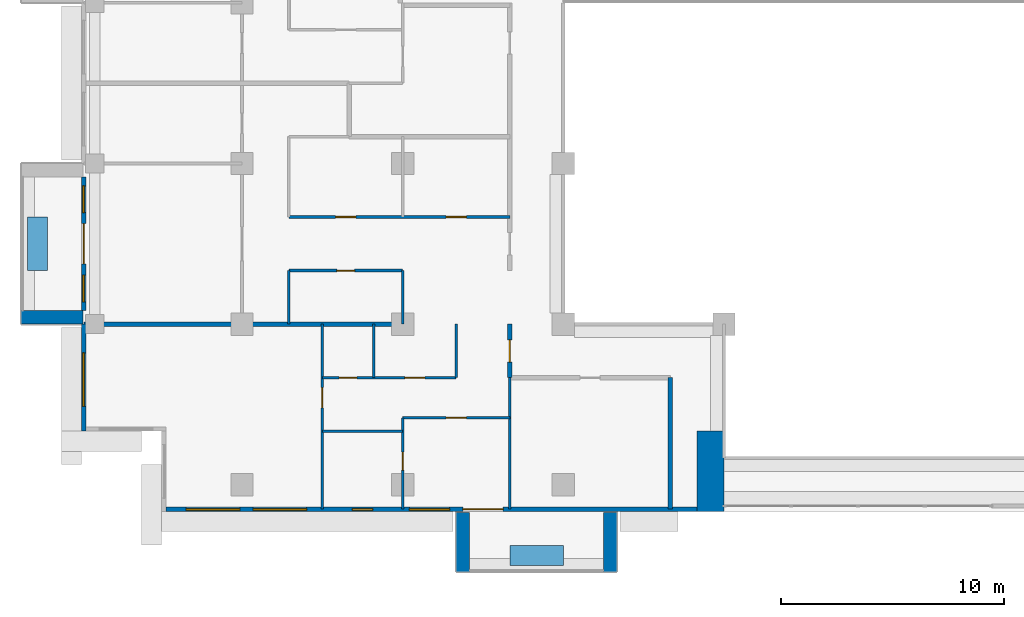
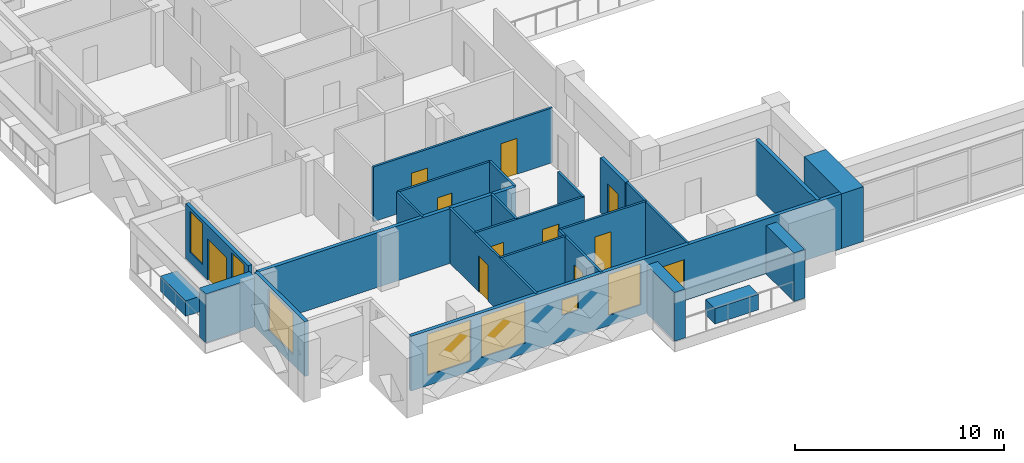
# One storey, part 6 of 20: 24 walls, 11 doors, 7 windows, 18 openings.
"""IFC4 building model written with IfcOpenShell, lengths in metres."""

from ifc_helpers import new_model, si_unit, direction, frame, frame_2d, origin, place, context, subcontext, project, spatial, rectangle, extrude, material, layer, layer_set, type_object, element, fill, save


model = new_model("IFC4")

# Units and contexts
model_context = context("Model", 3, precision=1e-05, world=origin(), true_north=direction((0.0, 1.0)))
body_context = subcontext(model_context, "Body", "Model", "MODEL_VIEW")
ifc_project = project(units=[si_unit("LENGTHUNIT", "METRE"), si_unit("AREAUNIT", "SQUARE_METRE"), si_unit("VOLUMEUNIT", "CUBIC_METRE"), si_unit("PLANEANGLEUNIT", "RADIAN"), si_unit("MASSUNIT", "GRAM", prefix="KILO")], contexts=[model_context])

# Site, building, storey
site_placement = place(None, origin())
site = spatial("IfcSite", under=ifc_project, at=site_placement, CompositionType="ELEMENT")
building_placement = place(site_placement, origin())
building = spatial("IfcBuilding", under=site, at=building_placement, Name="Saffron Iwan Residences", CompositionType="ELEMENT")
storey_placement = place(building_placement, frame((0.0, 0.0, 153.5)))
storey = spatial("IfcBuildingStorey", under=building, at=storey_placement, Name="L40", CompositionType="ELEMENT", Elevation=153.5)

# Walls
ifc_material_1 = material(Name="Concrete C50/60 white painted", Category="concrete")
ifc_layer_1 = layer(ifc_material_1, 0.60009765625)
ifc_layer_set_1 = layer_set([ifc_layer_1], Name="Concrete C50/60 white painted")
wall_type_1 = type_object("IfcWallType", Name="BALCONY FIN 600", PredefinedType="SOLIDWALL", material=ifc_layer_set_1)
wall_1_placement = place(storey_placement, frame((14.47509765625, 48.300048828125, 0.0), z_axis=(0.0, 0.0, 1.0), x_axis=(-1.0, 0.0, 0.0)))
element("IfcWall", 1, at=wall_1_placement, inside=storey, type_object=wall_type_1, Name="Balcony fin L40 F8-1b", PredefinedType="SOLIDWALL", context=body_context, shape_type="SweptSolid", body=[
    extrude(rectangle(XDim=2.775146484375, YDim=0.60009765625, at=frame_2d((1.3876953125, 0.0))), origin(), (0.0, 0.0, 1.0), 2.85009765625),
])
for number, where, z_axis, x_axis, name in (
    (2, (31.5, 39.550048828125, 0.0), (0.0, 0.0, 1.0), (0.0, -1.0, 0.0), "Balcony fin L40 11-0a"),
    (3, (38.10009765625, 39.550048828125, 0.0), (0.0, 0.0, 1.0), (0.0, -1.0, 0.0), "Balcony fin L40 11-0b"),
):
    element("IfcWall", number, at=place(storey_placement, frame(where, z_axis=z_axis, x_axis=x_axis)), inside=storey, type_object=wall_type_1, Name=name, PredefinedType="SOLIDWALL", context=body_context, shape_type="SweptSolid", body=[
        extrude(rectangle(XDim=2.650146484375, YDim=0.60009765625, at=frame_2d((1.3251953125, 0.0))), origin(), (0.0, 0.0, 1.0), 2.85009765625),
    ])
ifc_material_2 = material(Name="Concrete C35/45 white painted", Category="concrete")
ifc_layer_2 = layer(ifc_material_2, 0.14990234375)
ifc_layer_set_2 = layer_set([ifc_layer_2], Name="Concrete C35/45 white painted")
wall_type_2 = type_object("IfcWallType", Name="BALCONY PLANTER", PredefinedType="SOLIDWALL", material=ifc_layer_set_2)
wall_2_placement = place(storey_placement, frame((12.425048828125, 52.800048828125, 0.0), z_axis=(0.0, 0.0, 1.0), x_axis=(0.0, -1.0, 0.0)))
element("IfcWall", 4, at=wall_2_placement, inside=storey, type_object=wall_type_2, Name="PLANTER L40 F8-1", PredefinedType="SOLIDWALL", context=body_context, shape_type="SweptSolid", body=[
    extrude(rectangle(XDim=2.400146484375, YDim=0.89990234375, at=frame_2d((1.2001953125, 0.0))), origin(), (0.0, 0.0, 1.0), 0.89990234375),
])
wall_3_placement = place(storey_placement, frame((33.60009765625, 37.625, 0.0), z_axis=(0.0, 0.0, 1.0), x_axis=(1.0, 0.0, 0.0)))
element("IfcWall", 5, at=wall_3_placement, inside=storey, type_object=wall_type_2, Name="PLANTER L40 11-0", PredefinedType="SOLIDWALL", context=body_context, shape_type="SweptSolid", body=[
    extrude(rectangle(XDim=2.39990234375, YDim=0.89990234375, at=frame_2d((1.199951171875, 0.0))), origin(), (0.0, 0.0, 1.0), 0.89990234375),
])

# Wall, openings, door, windows
ifc_material_3 = material(Name="Concrete C40/50", Category="concrete")
ifc_layer_3 = layer(ifc_material_3, 0.199951171875)
ifc_layer_set_3 = layer_set([ifc_layer_3], Name="Concrete C40/50")
wall_type_3 = type_object("IfcWallType", Name="EXTERNAL WALL 200", PredefinedType="SOLIDWALL", material=ifc_layer_set_3)
wall_4_placement = place(storey_placement, frame((14.5, 54.60009765625, 0.0), z_axis=(0.0, 0.0, 1.0), x_axis=(0.0, -1.0, 0.0)))
wall_4 = element("IfcWall", 6, at=wall_4_placement, inside=storey, type_object=wall_type_3, Name="External wall L40 F8.3", PredefinedType="SOLIDWALL", context=body_context, shape_type="SweptSolid", body=[
    extrude(rectangle(XDim=6.0, YDim=0.199951171875, at=frame_2d((3.0, 0.0))), origin(), (0.0, 0.0, 1.0), 3.199951171875),
])
opening_1_placement = place(wall_4_placement, frame((2.10009765625, 0.0, 0.0)))
opening_1 = element("IfcOpeningElement", 7, at=opening_1_placement, cuts=wall_4, Name="Opening BD1", PredefinedType="OPENING", context=body_context, shape_type="SweptSolid", body=[
    extrude(rectangle(XDim=1.800048828125, YDim=2.39990234375, at=frame_2d((0.89990234375, 1.199951171875))), frame((0.0, 0.10986328125, 0.0), z_axis=(0.0, -1.0, 0.0), x_axis=(1.0, 0.0, 0.0)), (0.0, 0.0, 1.0), 0.219970703125),
])
opening_2_placement = place(wall_4_placement, frame((0.39990234375, 0.0, 0.60009765625)))
opening_2 = element("IfcOpeningElement", 8, at=opening_2_placement, cuts=wall_4, Name="Opening W3", PredefinedType="OPENING", context=body_context, shape_type="SweptSolid", body=[
    extrude(rectangle(XDim=1.199951171875, YDim=2.39990234375, at=frame_2d((0.60009765625, 1.199951171875))), frame((0.0, 0.10986328125, 0.0), z_axis=(0.0, -1.0, 0.0), x_axis=(1.0, 0.0, 0.0)), (0.0, 0.0, 1.0), 0.219970703125),
])
opening_3_placement = place(wall_4_placement, frame((4.39990234375, 0.0, 0.60009765625)))
opening_3 = element("IfcOpeningElement", 9, at=opening_3_placement, cuts=wall_4, Name="Opening W3", PredefinedType="OPENING", context=body_context, shape_type="SweptSolid", body=[
    extrude(rectangle(XDim=1.199951171875, YDim=2.39990234375, at=frame_2d((0.60009765625, 1.199951171875))), frame((0.0, 0.10986328125, 0.0), z_axis=(0.0, -1.0, 0.0), x_axis=(1.0, 0.0, 0.0)), (0.0, 0.0, 1.0), 0.219970703125),
])
ifc_material_4 = material(Name="Clear glass, laminated double glazed", Category="glass")
door_type_1 = type_object("IfcDoorType", Name="BALCONY DOOR 1800 x 2400", OperationType="DOUBLE_DOOR_SLIDING", PredefinedType="DOOR", material=ifc_material_4)
door_1_placement = place(opening_1_placement, origin())
door_1 = element("IfcDoor", 10, at=door_1_placement, inside=storey, type_object=door_type_1, Name="Balcony door L40 F8.0", OperationType="DOUBLE_DOOR_SLIDING", OverallHeight=2.39990234375, OverallWidth=1.800048828125, PredefinedType="DOOR", context=body_context, shape_type="SweptSolid", body=[
    extrude(rectangle(XDim=1.800048828125, YDim=2.39990234375, at=frame_2d((0.89990234375, 1.199951171875))), frame((0.0, 0.02490234375, 0.0), z_axis=(0.0, -1.0, 0.0), x_axis=(1.0, 0.0, 0.0)), (0.0, 0.0, 1.0), 0.050048828125),
])
fill(opening_1, door_1)
window_type_1 = type_object("IfcWindowType", Name="WINDOW 1200 x 2400", PartitioningType="SINGLE_PANEL", PredefinedType="WINDOW", material=ifc_material_4)
window_1_placement = place(opening_2_placement, origin())
window_1 = element("IfcWindow", 11, at=window_1_placement, inside=storey, type_object=window_type_1, Name="Window L40 F8.1", OverallHeight=2.39990234375, OverallWidth=1.199951171875, PartitioningType="SINGLE_PANEL", PredefinedType="WINDOW", context=body_context, shape_type="SweptSolid", body=[
    extrude(rectangle(XDim=1.199951171875, YDim=2.39990234375, at=frame_2d((0.60009765625, 1.199951171875))), frame((0.0, 0.030029296875, 0.0), z_axis=(0.0, -1.0, 0.0), x_axis=(1.0, 0.0, 0.0)), (0.0, 0.0, 1.0), 0.06005859375),
])
fill(opening_2, window_1)
window_2_placement = place(opening_3_placement, origin())
window_2 = element("IfcWindow", 12, at=window_2_placement, inside=storey, type_object=window_type_1, Name="Window L40 F8.2", OverallHeight=2.39990234375, OverallWidth=1.199951171875, PartitioningType="SINGLE_PANEL", PredefinedType="WINDOW", context=body_context, shape_type="SweptSolid", body=[
    extrude(rectangle(XDim=1.199951171875, YDim=2.39990234375, at=frame_2d((0.60009765625, 1.199951171875))), frame((0.0, 0.030029296875, 0.0), z_axis=(0.0, -1.0, 0.0), x_axis=(1.0, 0.0, 0.0)), (0.0, 0.0, 1.0), 0.06005859375),
])
fill(opening_3, window_2)

# Wall, opening, window
wall_5_placement = place(storey_placement, frame((14.5, 48.0, 0.0), z_axis=(0.0, 0.0, 1.0), x_axis=(0.0, -1.0, 0.0)))
wall_5 = element("IfcWall", 13, at=wall_5_placement, inside=storey, type_object=wall_type_3, Name="External wall L40 F8.4", PredefinedType="SOLIDWALL", context=body_context, shape_type="SweptSolid", body=[
    extrude(rectangle(XDim=4.800048828125, YDim=0.199951171875, at=frame_2d((2.39990234375, 0.0))), origin(), (0.0, 0.0, 1.0), 3.199951171875),
])
opening_4_placement = place(wall_5_placement, frame((1.28759765625, 0.0, 0.60009765625)))
opening_4 = element("IfcOpeningElement", 14, at=opening_4_placement, cuts=wall_5, Name="Opening W1", PredefinedType="OPENING", context=body_context, shape_type="SweptSolid", body=[
    extrude(rectangle(XDim=2.39990234375, YDim=2.39990234375, at=frame_2d((1.199951171875, 1.199951171875))), frame((0.0, 0.10986328125, 0.0), z_axis=(0.0, -1.0, 0.0), x_axis=(1.0, 0.0, 0.0)), (0.0, 0.0, 1.0), 0.219970703125),
])
window_type_2 = type_object("IfcWindowType", Name="WINDOW 2400 x 2400", PartitioningType="DOUBLE_PANEL_VERTICAL", PredefinedType="WINDOW", material=ifc_material_4)
window_3_placement = place(opening_4_placement, origin())
window_3 = element("IfcWindow", 15, at=window_3_placement, inside=storey, type_object=window_type_2, Name="Window L40 F8.0", OverallHeight=2.39990234375, OverallWidth=2.39990234375, PartitioningType="DOUBLE_PANEL_VERTICAL", PredefinedType="WINDOW", context=body_context, shape_type="SweptSolid", body=[
    extrude(rectangle(XDim=2.39990234375, YDim=2.39990234375, at=frame_2d((1.199951171875, 1.199951171875))), frame((0.0, 0.030029296875, 0.0), z_axis=(0.0, -1.0, 0.0), x_axis=(1.0, 0.0, 0.0)), (0.0, 0.0, 1.0), 0.06005859375),
])
fill(opening_4, window_3)

# Wall, openings, door, windows
wall_6_placement = place(storey_placement, frame((18.199951171875, 39.699951171875, 0.0), z_axis=(0.0, 0.0, 1.0), x_axis=(1.0, 0.0, 0.0)))
wall_6 = element("IfcWall", 16, at=wall_6_placement, inside=storey, type_object=wall_type_3, Name="External wall L40 F11.0", PredefinedType="SOLIDWALL", context=body_context, shape_type="SweptSolid", body=[
    extrude(rectangle(XDim=23.800048828125, YDim=0.199951171875, at=frame_2d((11.89990234375, 0.0))), origin(), (0.0, 0.0, 1.0), 3.199951171875),
])
opening_5_placement = place(wall_6_placement, frame((13.300048828125, 0.0, 0.0)))
opening_5 = element("IfcOpeningElement", 17, at=opening_5_placement, cuts=wall_6, Name="Opening BD1", PredefinedType="OPENING", context=body_context, shape_type="SweptSolid", body=[
    extrude(rectangle(XDim=1.800048828125, YDim=2.39990234375, at=frame_2d((0.89990234375, 1.199951171875))), frame((0.0, 0.10986328125, 0.0), z_axis=(0.0, -1.0, 0.0), x_axis=(1.0, 0.0, 0.0)), (0.0, 0.0, 1.0), 0.219970703125),
])
opening_6_placement = place(wall_6_placement, frame((0.89990234375, 0.0, 0.60009765625)))
opening_6 = element("IfcOpeningElement", 18, at=opening_6_placement, cuts=wall_6, Name="Opening W1", PredefinedType="OPENING", context=body_context, shape_type="SweptSolid", body=[
    extrude(rectangle(XDim=2.39990234375, YDim=2.39990234375, at=frame_2d((1.199951171875, 1.199951171875))), frame((0.0, 0.10986328125, 0.0), z_axis=(0.0, -1.0, 0.0), x_axis=(1.0, 0.0, 0.0)), (0.0, 0.0, 1.0), 0.219970703125),
])
opening_7_placement = place(wall_6_placement, frame((3.89990234375, 0.0, 0.60009765625)))
opening_7 = element("IfcOpeningElement", 19, at=opening_7_placement, cuts=wall_6, Name="Opening W1", PredefinedType="OPENING", context=body_context, shape_type="SweptSolid", body=[
    extrude(rectangle(XDim=2.39990234375, YDim=2.39990234375, at=frame_2d((1.199951171875, 1.199951171875))), frame((0.0, 0.10986328125, 0.0), z_axis=(0.0, -1.0, 0.0), x_axis=(1.0, 0.0, 0.0)), (0.0, 0.0, 1.0), 0.219970703125),
])
opening_8_placement = place(wall_6_placement, frame((10.89990234375, 0.0, 0.60009765625)))
opening_8 = element("IfcOpeningElement", 20, at=opening_8_placement, cuts=wall_6, Name="Opening W8", PredefinedType="OPENING", context=body_context, shape_type="SweptSolid", body=[
    extrude(rectangle(XDim=1.800048828125, YDim=2.39990234375, at=frame_2d((0.89990234375, 1.199951171875))), frame((0.0, 0.10986328125, 0.0), z_axis=(0.0, -1.0, 0.0), x_axis=(1.0, 0.0, 0.0)), (0.0, 0.0, 1.0), 0.219970703125),
])
opening_9_placement = place(wall_6_placement, frame((8.35009765625, 0.0, 1.5)))
opening_9 = element("IfcOpeningElement", 21, at=opening_9_placement, cuts=wall_6, Name="Opening W6", PredefinedType="OPENING", context=body_context, shape_type="SweptSolid", body=[
    extrude(rectangle(XDim=0.89990234375, YDim=0.89990234375, at=frame_2d((0.449951171875, 0.449951171875))), frame((0.0, 0.10986328125, 0.0), z_axis=(0.0, -1.0, 0.0), x_axis=(1.0, 0.0, 0.0)), (0.0, 0.0, 1.0), 0.219970703125),
])
door_2_placement = place(opening_5_placement, origin())
door_2 = element("IfcDoor", 22, at=door_2_placement, inside=storey, type_object=door_type_1, Name="Balcony door L40 F11.0", OperationType="DOUBLE_DOOR_SLIDING", OverallHeight=2.39990234375, OverallWidth=1.800048828125, PredefinedType="DOOR", context=body_context, shape_type="SweptSolid", body=[
    extrude(rectangle(XDim=1.800048828125, YDim=2.39990234375, at=frame_2d((0.89990234375, 1.199951171875))), frame((0.0, 0.02490234375, 0.0), z_axis=(0.0, -1.0, 0.0), x_axis=(1.0, 0.0, 0.0)), (0.0, 0.0, 1.0), 0.050048828125),
])
fill(opening_5, door_2)
window_type_3 = type_object("IfcWindowType", Name="WINDOW 1800 x 2400", PartitioningType="DOUBLE_PANEL_VERTICAL", PredefinedType="WINDOW", material=ifc_material_4)
window_4_placement = place(opening_8_placement, origin())
window_4 = element("IfcWindow", 23, at=window_4_placement, inside=storey, type_object=window_type_3, Name="Window L40 F11.3", OverallHeight=2.39990234375, OverallWidth=1.800048828125, PartitioningType="DOUBLE_PANEL_VERTICAL", PredefinedType="WINDOW", context=body_context, shape_type="SweptSolid", body=[
    extrude(rectangle(XDim=1.800048828125, YDim=2.39990234375, at=frame_2d((0.89990234375, 1.199951171875))), frame((0.0, 0.030029296875, 0.0), z_axis=(0.0, -1.0, 0.0), x_axis=(1.0, 0.0, 0.0)), (0.0, 0.0, 1.0), 0.06005859375),
])
fill(opening_8, window_4)
window_5_placement = place(opening_6_placement, origin())
window_5 = element("IfcWindow", 24, at=window_5_placement, inside=storey, type_object=window_type_2, Name="Window L40 F11.1", OverallHeight=2.39990234375, OverallWidth=2.39990234375, PartitioningType="DOUBLE_PANEL_VERTICAL", PredefinedType="WINDOW", context=body_context, shape_type="SweptSolid", body=[
    extrude(rectangle(XDim=2.39990234375, YDim=2.39990234375, at=frame_2d((1.199951171875, 1.199951171875))), frame((0.0, 0.030029296875, 0.0), z_axis=(0.0, -1.0, 0.0), x_axis=(1.0, 0.0, 0.0)), (0.0, 0.0, 1.0), 0.06005859375),
])
fill(opening_6, window_5)
window_6_placement = place(opening_7_placement, origin())
window_6 = element("IfcWindow", 25, at=window_6_placement, inside=storey, type_object=window_type_2, Name="Window L40 F11.2", OverallHeight=2.39990234375, OverallWidth=2.39990234375, PartitioningType="DOUBLE_PANEL_VERTICAL", PredefinedType="WINDOW", context=body_context, shape_type="SweptSolid", body=[
    extrude(rectangle(XDim=2.39990234375, YDim=2.39990234375, at=frame_2d((1.199951171875, 1.199951171875))), frame((0.0, 0.030029296875, 0.0), z_axis=(0.0, -1.0, 0.0), x_axis=(1.0, 0.0, 0.0)), (0.0, 0.0, 1.0), 0.06005859375),
])
fill(opening_7, window_6)
window_type_4 = type_object("IfcWindowType", Name="WINDOW 900 x 900 BATH", PartitioningType="SINGLE_PANEL", PredefinedType="WINDOW", material=ifc_material_4)
window_7_placement = place(opening_9_placement, origin())
window_7 = element("IfcWindow", 26, at=window_7_placement, inside=storey, type_object=window_type_4, Name="Window L40 F11.4", OverallHeight=0.89990234375, OverallWidth=0.89990234375, PartitioningType="SINGLE_PANEL", PredefinedType="WINDOW", context=body_context, shape_type="SweptSolid", body=[
    extrude(rectangle(XDim=0.89990234375, YDim=0.89990234375, at=frame_2d((0.449951171875, 0.449951171875))), frame((0.0, 0.030029296875, 0.0), z_axis=(0.0, -1.0, 0.0), x_axis=(1.0, 0.0, 0.0)), (0.0, 0.0, 1.0), 0.06005859375),
])
fill(opening_9, window_7)

# Walls
ifc_material_5 = material(Name="Fire-rated gypsum board wall")
ifc_layer_4 = layer(ifc_material_5, 0.199951171875)
ifc_layer_set_4 = layer_set([ifc_layer_4], Name="Fire-rated gypsum board wall")
wall_type_4 = type_object("IfcWallType", Name="Flat demising wall 200", PredefinedType="SOLIDWALL", material=ifc_layer_set_4)
wall_7_placement = place(storey_placement, frame((14.52490234375, 48.0, 0.0), z_axis=(0.0, 0.0, 1.0), x_axis=(1.0, 0.0, 0.0)))
element("IfcWall", 27, at=wall_7_placement, inside=storey, type_object=wall_type_4, Name="W-L40-DEMISE-h48-14.525", PredefinedType="SOLIDWALL", context=body_context, shape_type="SweptSolid", body=[
    extrude(rectangle(XDim=14.275146484375, YDim=0.199951171875, at=frame_2d((7.1376953125, 0.0))), origin(), (0.0, 0.0, 1.0), 3.199951171875),
])
ifc_material_6 = material(Name="Gypsum board partition")
ifc_layer_5 = layer(ifc_material_6, 0.1201171875)
ifc_layer_set_5 = layer_set([ifc_layer_5], Name="Gypsum board partition")
wall_type_5 = type_object("IfcWallType", Name="Flat partition 120", PredefinedType="PARTITIONING", material=ifc_layer_set_5)
wall_8_placement = place(storey_placement, frame((25.199951171875, 43.199951171875, 0.0), z_axis=(0.0, 0.0, 1.0), x_axis=(1.0, 0.0, 0.0)))
element("IfcWall", 28, at=wall_8_placement, inside=storey, type_object=wall_type_5, Name="W-L40-PART-h43.2-25.2", PredefinedType="PARTITIONING", context=body_context, shape_type="SweptSolid", body=[
    extrude(rectangle(XDim=3.60009765625, YDim=0.1201171875, at=frame_2d((1.800048828125, 0.0))), origin(), (0.0, 0.0, 1.0), 3.199951171875),
])

# Wall, opening, door
wall_9_placement = place(storey_placement, frame((28.800048828125, 43.800048828125, 0.0), z_axis=(0.0, 0.0, 1.0), x_axis=(1.0, 0.0, 0.0)))
wall_9 = element("IfcWall", 29, at=wall_9_placement, inside=storey, type_object=wall_type_5, Name="W-L40-PART-h43.8-28.8", PredefinedType="PARTITIONING", context=body_context, shape_type="SweptSolid", body=[
    extrude(rectangle(XDim=4.800048828125, YDim=0.1201171875, at=frame_2d((2.39990234375, 0.0))), origin(), (0.0, 0.0, 1.0), 3.199951171875),
])
opening_10_placement = place(wall_9_placement, frame((1.949951171875, 0.0, 0.0)))
opening_10 = element("IfcOpeningElement", 30, at=opening_10_placement, cuts=wall_9, Name="Opening FD2", PredefinedType="OPENING", context=body_context, shape_type="SweptSolid", body=[
    extrude(rectangle(XDim=0.89990234375, YDim=2.10009765625, at=frame_2d((0.449951171875, 1.050048828125))), frame((0.0, 0.070068359375, 0.0), z_axis=(0.0, -1.0, 0.0), x_axis=(1.0, 0.0, 0.0)), (0.0, 0.0, 1.0), 0.14013671875),
])
ifc_material_7 = material(Name="Timber door", Category="wood")
door_type_2 = type_object("IfcDoorType", Name="Flat door 900", OperationType="NOTDEFINED", PredefinedType="DOOR", material=ifc_material_7)
door_3_placement = place(opening_10_placement, origin())
door_3 = element("IfcDoor", 31, at=door_3_placement, inside=storey, type_object=door_type_2, Name="Door L40-003", OperationType="SINGLE_SWING_RIGHT", OverallHeight=2.10009765625, OverallWidth=0.89990234375, PredefinedType="DOOR", context=body_context, shape_type="SweptSolid", body=[
    extrude(rectangle(XDim=0.89990234375, YDim=2.10009765625, at=frame_2d((0.449951171875, 1.050048828125))), frame((0.0, 0.02490234375, 0.0), z_axis=(0.0, -1.0, 0.0), x_axis=(1.0, 0.0, 0.0)), (0.0, 0.0, 1.0), 0.050048828125),
])
fill(opening_10, door_3)

# Wall, openings, doors
wall_10_placement = place(storey_placement, frame((25.199951171875, 45.60009765625, 0.0), z_axis=(0.0, 0.0, 1.0), x_axis=(1.0, 0.0, 0.0)))
wall_10 = element("IfcWall", 32, at=wall_10_placement, inside=storey, type_object=wall_type_5, Name="W-L40-PART-h45.6-25.2", PredefinedType="PARTITIONING", context=body_context, shape_type="SweptSolid", body=[
    extrude(rectangle(XDim=6.0, YDim=0.1201171875, at=frame_2d((3.0, 0.0))), origin(), (0.0, 0.0, 1.0), 3.199951171875),
])
opening_11_placement = place(wall_10_placement, frame((0.75, 0.0, 0.0)))
opening_11 = element("IfcOpeningElement", 33, at=opening_11_placement, cuts=wall_10, Name="Opening FD3", PredefinedType="OPENING", context=body_context, shape_type="SweptSolid", body=[
    extrude(rectangle(XDim=0.800048828125, YDim=2.10009765625, at=frame_2d((0.39990234375, 1.050048828125))), frame((0.0, 0.070068359375, 0.0), z_axis=(0.0, -1.0, 0.0), x_axis=(1.0, 0.0, 0.0)), (0.0, 0.0, 1.0), 0.14013671875),
])
opening_12_placement = place(wall_10_placement, frame((3.699951171875, 0.0, 0.0)))
opening_12 = element("IfcOpeningElement", 34, at=opening_12_placement, cuts=wall_10, Name="Opening FD2", PredefinedType="OPENING", context=body_context, shape_type="SweptSolid", body=[
    extrude(rectangle(XDim=0.89990234375, YDim=2.10009765625, at=frame_2d((0.449951171875, 1.050048828125))), frame((0.0, 0.070068359375, 0.0), z_axis=(0.0, -1.0, 0.0), x_axis=(1.0, 0.0, 0.0)), (0.0, 0.0, 1.0), 0.14013671875),
])
door_type_3 = type_object("IfcDoorType", Name="Bathroom door 800", OperationType="NOTDEFINED", PredefinedType="DOOR", material=ifc_material_7)
door_4_placement = place(opening_11_placement, origin())
door_4 = element("IfcDoor", 35, at=door_4_placement, inside=storey, type_object=door_type_3, Name="Door L40-005", OperationType="SINGLE_SWING_LEFT", OverallHeight=2.10009765625, OverallWidth=0.800048828125, PredefinedType="DOOR", context=body_context, shape_type="SweptSolid", body=[
    extrude(rectangle(XDim=0.800048828125, YDim=2.10009765625, at=frame_2d((0.39990234375, 1.050048828125))), frame((0.0, 0.02490234375, 0.0), z_axis=(0.0, -1.0, 0.0), x_axis=(1.0, 0.0, 0.0)), (0.0, 0.0, 1.0), 0.050048828125),
])
fill(opening_11, door_4)
door_5_placement = place(opening_12_placement, origin())
door_5 = element("IfcDoor", 36, at=door_5_placement, inside=storey, type_object=door_type_2, Name="Door L40-006", OperationType="SINGLE_SWING_RIGHT", OverallHeight=2.10009765625, OverallWidth=0.89990234375, PredefinedType="DOOR", context=body_context, shape_type="SweptSolid", body=[
    extrude(rectangle(XDim=0.89990234375, YDim=2.10009765625, at=frame_2d((0.449951171875, 1.050048828125))), frame((0.0, 0.02490234375, 0.0), z_axis=(0.0, -1.0, 0.0), x_axis=(1.0, 0.0, 0.0)), (0.0, 0.0, 1.0), 0.050048828125),
])
fill(opening_12, door_5)

# Wall, opening, door
wall_11_placement = place(storey_placement, frame((23.699951171875, 50.39990234375, 0.0), z_axis=(0.0, 0.0, 1.0), x_axis=(1.0, 0.0, 0.0)))
wall_11 = element("IfcWall", 37, at=wall_11_placement, inside=storey, type_object=wall_type_5, Name="W-L40-PART-h50.4-23.7", PredefinedType="PARTITIONING", context=body_context, shape_type="SweptSolid", body=[
    extrude(rectangle(XDim=5.10009765625, YDim=0.1201171875, at=frame_2d((2.550048828125, 0.0))), origin(), (0.0, 0.0, 1.0), 3.199951171875),
])
opening_13_placement = place(wall_11_placement, frame((2.14990234375, 0.0, 0.0)))
opening_13 = element("IfcOpeningElement", 38, at=opening_13_placement, cuts=wall_11, Name="Opening FD3", PredefinedType="OPENING", context=body_context, shape_type="SweptSolid", body=[
    extrude(rectangle(XDim=0.800048828125, YDim=2.10009765625, at=frame_2d((0.39990234375, 1.050048828125))), frame((0.0, 0.070068359375, 0.0), z_axis=(0.0, -1.0, 0.0), x_axis=(1.0, 0.0, 0.0)), (0.0, 0.0, 1.0), 0.14013671875),
])
door_6_placement = place(opening_13_placement, origin())
door_6 = element("IfcDoor", 39, at=door_6_placement, inside=storey, type_object=door_type_3, Name="Door L40-011", OperationType="SINGLE_SWING_LEFT", OverallHeight=2.10009765625, OverallWidth=0.800048828125, PredefinedType="DOOR", context=body_context, shape_type="SweptSolid", body=[
    extrude(rectangle(XDim=0.800048828125, YDim=2.10009765625, at=frame_2d((0.39990234375, 1.050048828125))), frame((0.0, 0.02490234375, 0.0), z_axis=(0.0, -1.0, 0.0), x_axis=(1.0, 0.0, 0.0)), (0.0, 0.0, 1.0), 0.050048828125),
])
fill(opening_13, door_6)

# Wall, openings, doors
wall_12_placement = place(storey_placement, frame((23.699951171875, 52.800048828125, 0.0), z_axis=(0.0, 0.0, 1.0), x_axis=(1.0, 0.0, 0.0)))
wall_12 = element("IfcWall", 40, at=wall_12_placement, inside=storey, type_object=wall_type_5, Name="W-L40-PART-h52.8-23.7", PredefinedType="PARTITIONING", context=body_context, shape_type="SweptSolid", body=[
    extrude(rectangle(XDim=9.900146484375, YDim=0.1201171875, at=frame_2d((4.9501953125, 0.0))), origin(), (0.0, 0.0, 1.0), 3.199951171875),
])
opening_14_placement = place(wall_12_placement, frame((2.10009765625, 0.0, 0.0)))
opening_14 = element("IfcOpeningElement", 41, at=opening_14_placement, cuts=wall_12, Name="Opening FD2", PredefinedType="OPENING", context=body_context, shape_type="SweptSolid", body=[
    extrude(rectangle(XDim=0.89990234375, YDim=2.10009765625, at=frame_2d((0.449951171875, 1.050048828125))), frame((0.0, 0.070068359375, 0.0), z_axis=(0.0, -1.0, 0.0), x_axis=(1.0, 0.0, 0.0)), (0.0, 0.0, 1.0), 0.14013671875),
])
opening_15_placement = place(wall_12_placement, frame((7.050048828125, 0.0, 0.0)))
opening_15 = element("IfcOpeningElement", 42, at=opening_15_placement, cuts=wall_12, Name="Opening FD2", PredefinedType="OPENING", context=body_context, shape_type="SweptSolid", body=[
    extrude(rectangle(XDim=0.89990234375, YDim=2.10009765625, at=frame_2d((0.449951171875, 1.050048828125))), frame((0.0, 0.070068359375, 0.0), z_axis=(0.0, -1.0, 0.0), x_axis=(1.0, 0.0, 0.0)), (0.0, 0.0, 1.0), 0.14013671875),
])
door_7_placement = place(opening_14_placement, origin())
door_7 = element("IfcDoor", 43, at=door_7_placement, inside=storey, type_object=door_type_2, Name="Door L40-012", OperationType="SINGLE_SWING_RIGHT", OverallHeight=2.10009765625, OverallWidth=0.89990234375, PredefinedType="DOOR", context=body_context, shape_type="SweptSolid", body=[
    extrude(rectangle(XDim=0.89990234375, YDim=2.10009765625, at=frame_2d((0.449951171875, 1.050048828125))), frame((0.0, 0.02490234375, 0.0), z_axis=(0.0, -1.0, 0.0), x_axis=(1.0, 0.0, 0.0)), (0.0, 0.0, 1.0), 0.050048828125),
])
fill(opening_14, door_7)
door_8_placement = place(opening_15_placement, origin())
door_8 = element("IfcDoor", 44, at=door_8_placement, inside=storey, type_object=door_type_2, Name="Door L40-013", OperationType="SINGLE_SWING_LEFT", OverallHeight=2.10009765625, OverallWidth=0.89990234375, PredefinedType="DOOR", context=body_context, shape_type="SweptSolid", body=[
    extrude(rectangle(XDim=0.89990234375, YDim=2.10009765625, at=frame_2d((0.449951171875, 1.050048828125))), frame((0.0, 0.02490234375, 0.0), z_axis=(0.0, -1.0, 0.0), x_axis=(1.0, 0.0, 0.0)), (0.0, 0.0, 1.0), 0.050048828125),
])
fill(opening_15, door_8)

# Wall
wall_13_placement = place(storey_placement, frame((23.699951171875, 48.0, 0.0), z_axis=(0.0, 0.0, 1.0), x_axis=(0.0, 1.0, 0.0)))
element("IfcWall", 45, at=wall_13_placement, inside=storey, type_object=wall_type_5, Name="W-L40-PART-v23.7-48", PredefinedType="PARTITIONING", context=body_context, shape_type="SweptSolid", body=[
    extrude(rectangle(XDim=2.39990234375, YDim=0.1201171875, at=frame_2d((1.199951171875, 0.0))), origin(), (0.0, 0.0, 1.0), 3.199951171875),
])

# Wall, opening, door
wall_14_placement = place(storey_placement, frame((25.199951171875, 39.72509765625, 0.0), z_axis=(0.0, 0.0, 1.0), x_axis=(0.0, 1.0, 0.0)))
wall_14 = element("IfcWall", 46, at=wall_14_placement, inside=storey, type_object=wall_type_5, Name="W-L40-PART-v25.2-39.725", PredefinedType="PARTITIONING", context=body_context, shape_type="SweptSolid", body=[
    extrude(rectangle(XDim=8.27490234375, YDim=0.1201171875, at=frame_2d((4.137451171875, 0.0))), origin(), (0.0, 0.0, 1.0), 3.199951171875),
])
opening_16_placement = place(wall_14_placement, frame((4.52490234375, 0.0, 0.0)))
opening_16 = element("IfcOpeningElement", 47, at=opening_16_placement, cuts=wall_14, Name="Opening FD2", PredefinedType="OPENING", context=body_context, shape_type="SweptSolid", body=[
    extrude(rectangle(XDim=0.89990234375, YDim=2.10009765625, at=frame_2d((0.449951171875, 1.050048828125))), frame((0.0, 0.070068359375, 0.0), z_axis=(0.0, -1.0, 0.0), x_axis=(1.0, 0.0, 0.0)), (0.0, 0.0, 1.0), 0.14013671875),
])
door_9_placement = place(opening_16_placement, origin())
door_9 = element("IfcDoor", 48, at=door_9_placement, inside=storey, type_object=door_type_2, Name="Door L40-002", OperationType="SINGLE_SWING_LEFT", OverallHeight=2.10009765625, OverallWidth=0.89990234375, PredefinedType="DOOR", context=body_context, shape_type="SweptSolid", body=[
    extrude(rectangle(XDim=0.89990234375, YDim=2.10009765625, at=frame_2d((0.449951171875, 1.050048828125))), frame((0.0, 0.02490234375, 0.0), z_axis=(0.0, -1.0, 0.0), x_axis=(1.0, 0.0, 0.0)), (0.0, 0.0, 1.0), 0.050048828125),
])
fill(opening_16, door_9)

# Wall
wall_15_placement = place(storey_placement, frame((27.5, 45.60009765625, 0.0), z_axis=(0.0, 0.0, 1.0), x_axis=(0.0, 1.0, 0.0)))
element("IfcWall", 49, at=wall_15_placement, inside=storey, type_object=wall_type_5, Name="W-L40-PART-v27.5-45.6", PredefinedType="PARTITIONING", context=body_context, shape_type="SweptSolid", body=[
    extrude(rectangle(XDim=2.39990234375, YDim=0.1201171875, at=frame_2d((1.199951171875, 0.0))), origin(), (0.0, 0.0, 1.0), 3.199951171875),
])

# Wall, opening, door
wall_16_placement = place(storey_placement, frame((28.800048828125, 39.72509765625, 0.0), z_axis=(0.0, 0.0, 1.0), x_axis=(0.0, 1.0, 0.0)))
wall_16 = element("IfcWall", 50, at=wall_16_placement, inside=storey, type_object=wall_type_5, Name="W-L40-PART-v28.8-39.725", PredefinedType="PARTITIONING", context=body_context, shape_type="SweptSolid", body=[
    extrude(rectangle(XDim=4.074951171875, YDim=0.1201171875, at=frame_2d((2.03759765625, 0.0))), origin(), (0.0, 0.0, 1.0), 3.199951171875),
])
opening_17_placement = place(wall_16_placement, frame((1.737548828125, 0.0, 0.0)))
opening_17 = element("IfcOpeningElement", 51, at=opening_17_placement, cuts=wall_16, Name="Opening FD3", PredefinedType="OPENING", context=body_context, shape_type="SweptSolid", body=[
    extrude(rectangle(XDim=0.800048828125, YDim=2.10009765625, at=frame_2d((0.39990234375, 1.050048828125))), frame((0.0, 0.070068359375, 0.0), z_axis=(0.0, -1.0, 0.0), x_axis=(1.0, 0.0, 0.0)), (0.0, 0.0, 1.0), 0.14013671875),
])
door_10_placement = place(opening_17_placement, origin())
door_10 = element("IfcDoor", 52, at=door_10_placement, inside=storey, type_object=door_type_3, Name="Door L40-004", OperationType="SINGLE_SWING_RIGHT", OverallHeight=2.10009765625, OverallWidth=0.800048828125, PredefinedType="DOOR", context=body_context, shape_type="SweptSolid", body=[
    extrude(rectangle(XDim=0.800048828125, YDim=2.10009765625, at=frame_2d((0.39990234375, 1.050048828125))), frame((0.0, 0.02490234375, 0.0), z_axis=(0.0, -1.0, 0.0), x_axis=(1.0, 0.0, 0.0)), (0.0, 0.0, 1.0), 0.050048828125),
])
fill(opening_17, door_10)

# Walls
for number, where, z_axis, x_axis, name in (
    (53, (28.800048828125, 48.0, 0.0), (0.0, 0.0, 1.0), (0.0, 1.0, 0.0), "W-L40-PART-v28.8-48"),
    (54, (31.199951171875, 45.60009765625, 0.0), (0.0, 0.0, 1.0), (0.0, 1.0, 0.0), "W-L40-PART-v31.2-45.6"),
):
    element("IfcWall", number, at=place(storey_placement, frame(where, z_axis=z_axis, x_axis=x_axis)), inside=storey, type_object=wall_type_5, Name=name, PredefinedType="PARTITIONING", context=body_context, shape_type="SweptSolid", body=[
        extrude(rectangle(XDim=2.39990234375, YDim=0.1201171875, at=frame_2d((1.199951171875, 0.0))), origin(), (0.0, 0.0, 1.0), 3.199951171875),
    ])
wall_17_placement = place(storey_placement, frame((33.60009765625, 39.72509765625, 0.0), z_axis=(0.0, 0.0, 1.0), x_axis=(0.0, 1.0, 0.0)))
element("IfcWall", 55, at=wall_17_placement, inside=storey, type_object=wall_type_5, Name="W-L40-PART-v33.6-39.725", PredefinedType="PARTITIONING", context=body_context, shape_type="SweptSolid", body=[
    extrude(rectangle(XDim=5.875, YDim=0.1201171875, at=frame_2d((2.9375, 0.0))), origin(), (0.0, 0.0, 1.0), 3.199951171875),
])

# Wall, opening, door
ifc_layer_6 = layer(ifc_material_5, 0.199951171875)
ifc_layer_set_6 = layer_set([ifc_layer_6], Name="Fire-rated gypsum board wall")
wall_type_6 = type_object("IfcWallType", Name="Gallery wall 200", PredefinedType="SOLIDWALL", material=ifc_layer_set_6)
wall_18_placement = place(storey_placement, frame((33.60009765625, 45.60009765625, 0.0), z_axis=(0.0, 0.0, 1.0), x_axis=(0.0, 1.0, 0.0)))
wall_18 = element("IfcWall", 56, at=wall_18_placement, inside=storey, type_object=wall_type_6, Name="W-L40-CORR-v33.6-45.6", PredefinedType="SOLIDWALL", context=body_context, shape_type="SweptSolid", body=[
    extrude(rectangle(XDim=2.39990234375, YDim=0.199951171875, at=frame_2d((1.199951171875, 0.0))), origin(), (0.0, 0.0, 1.0), 3.199951171875),
])
opening_18_placement = place(wall_18_placement, frame((0.699951171875, 0.0, 0.0)))
opening_18 = element("IfcOpeningElement", 57, at=opening_18_placement, cuts=wall_18, Name="Opening FD1", PredefinedType="OPENING", context=body_context, shape_type="SweptSolid", body=[
    extrude(rectangle(XDim=1.0, YDim=2.10009765625, at=frame_2d((0.5, 1.050048828125))), frame((0.0, 0.10986328125, 0.0), z_axis=(0.0, -1.0, 0.0), x_axis=(1.0, 0.0, 0.0)), (0.0, 0.0, 1.0), 0.219970703125),
])
ifc_material_8 = material(Name="Fire-rated timber door", Category="wood")
door_type_4 = type_object("IfcDoorType", Name="FD30S flat entrance door 1000", OperationType="NOTDEFINED", PredefinedType="DOOR", material=ifc_material_8)
door_11_placement = place(opening_18_placement, origin())
door_11 = element("IfcDoor", 58, at=door_11_placement, inside=storey, type_object=door_type_4, Name="Door L40-001", OperationType="SINGLE_SWING_LEFT", OverallHeight=2.10009765625, OverallWidth=1.0, PredefinedType="DOOR", context=body_context, shape_type="SweptSolid", body=[
    extrude(rectangle(XDim=1.0, YDim=2.10009765625, at=frame_2d((0.5, 1.050048828125))), frame((0.0, 0.02490234375, 0.0), z_axis=(0.0, -1.0, 0.0), x_axis=(1.0, 0.0, 0.0)), (0.0, 0.0, 1.0), 0.050048828125),
])
fill(opening_18, door_11)

# Walls
wall_19_placement = place(storey_placement, frame((40.800048828125, 39.72509765625, 0.0), z_axis=(0.0, 0.0, 1.0), x_axis=(0.0, 1.0, 0.0)))
element("IfcWall", 59, at=wall_19_placement, inside=storey, type_object=wall_type_6, Name="W-L40-CORR-v40.8-39.725", PredefinedType="SOLIDWALL", context=body_context, shape_type="SweptSolid", body=[
    extrude(rectangle(XDim=5.875, YDim=0.199951171875, at=frame_2d((2.9375, 0.0))), origin(), (0.0, 0.0, 1.0), 3.199951171875),
])
ifc_material_9 = material(Name="Concrete C50/60", Category="concrete")
ifc_layer_7 = layer(ifc_material_9, 1.199951171875)
ifc_layer_set_7 = layer_set([ifc_layer_7], Name="Concrete C50/60")
wall_type_7 = type_object("IfcWallType", Name="WALL IWAN PIER 1200 C50/60 3200 HIGH", PredefinedType="SHEAR", material=ifc_layer_set_7)
wall_20_placement = place(storey_placement, frame((42.60009765625, 39.60009765625, 0.0), z_axis=(0.0, 0.0, 1.0), x_axis=(0.0, 1.0, 0.0)))
element("IfcWall", 60, at=wall_20_placement, inside=storey, type_object=wall_type_7, Name="IWAN PIER", PredefinedType="SHEAR", context=body_context, shape_type="SweptSolid", body=[
    extrude(rectangle(XDim=3.599853515625, YDim=1.199951171875, at=frame_2d((1.7998046875, 0.0))), origin(), (0.0, 0.0, 1.0), 3.199951171875),
])

save(model, "model.ifc")
